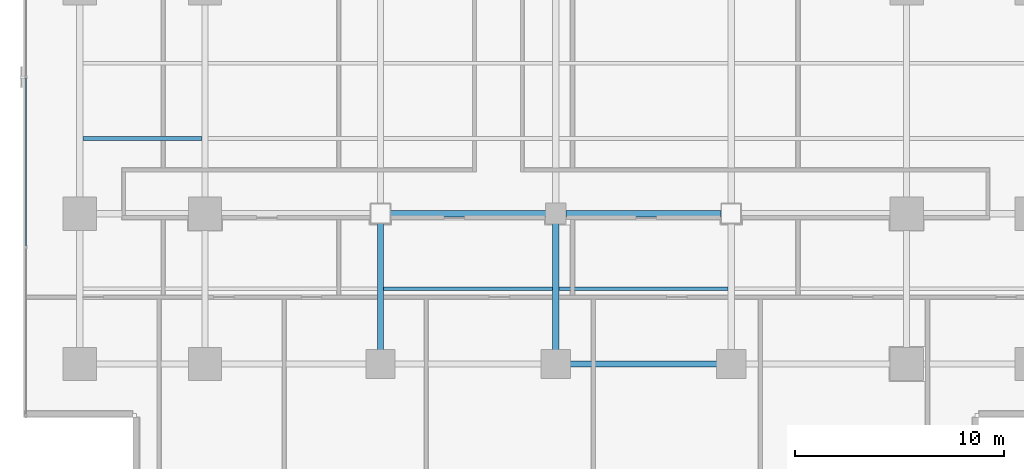
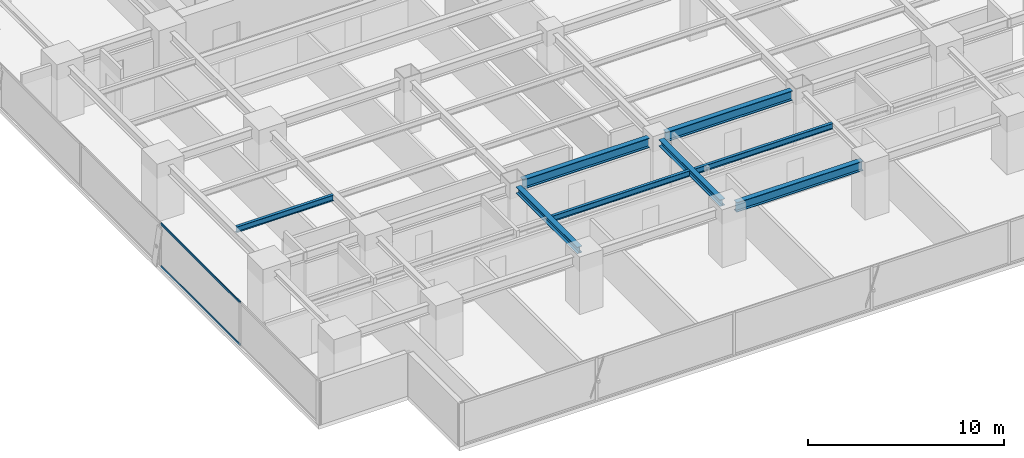
# One storey, part 7 of 36: 8 beams, 2 members, 1 element without a shape of its own.
"""IFC4 building model written with IfcOpenShell, lengths in metres."""

from ifc_helpers import new_model, si_unit, direction, frame, origin, origin_2d, place, context, subcontext, project, spatial, hollow_rectangle, i_section, extrude, source, transform, mapped, material, layer, layer_set, material_profile, profile_set, type_object, element, aggregate, save


model = new_model("IFC4")

# Units and contexts
model_context = context("Model", 3, precision=1e-05, world=origin(), true_north=direction((0.0, 1.0)))
body_context = subcontext(model_context, "Body", "Model", "MODEL_VIEW")
ifc_project = project(units=[si_unit("LENGTHUNIT", "METRE"), si_unit("AREAUNIT", "SQUARE_METRE"), si_unit("VOLUMEUNIT", "CUBIC_METRE"), si_unit("PLANEANGLEUNIT", "RADIAN"), si_unit("MASSUNIT", "GRAM", prefix="KILO")], contexts=[model_context])

# Site, building, storey
site_placement = place(None, origin())
site = spatial("IfcSite", under=ifc_project, at=site_placement, CompositionType="ELEMENT")
building_placement = place(site_placement, origin())
building = spatial("IfcBuilding", under=site, at=building_placement, Name="Sumidabori Civic Tower", CompositionType="ELEMENT")
storey_placement = place(building_placement, frame((0.0, 0.0, 120.800048828125)))
storey = spatial("IfcBuildingStorey", under=building, at=storey_placement, Name="L31", CompositionType="ELEMENT", Elevation=120.800048828125)

# Beams
ifc_material_1 = material(Name="Steel SN490", Category="steel")
ifc_material_profile_1 = material_profile(ifc_material_1, i_section(OverallWidth=0.300048828125, OverallDepth=0.60009765625, WebThickness=0.015380859375, FlangeThickness=0.030029296875, at=origin_2d()), Name="HE 600 B")
ifc_profile_set_1 = profile_set([ifc_material_profile_1], Name="Steel SN490")
beam_type_1 = type_object("IfcBeamType", Name="BM-GIRD-600", PredefinedType="BEAM", material=ifc_profile_set_1)
shared_shape_1 = source(origin(), body_context, "Body", "SweptSolid", [
    extrude(i_section(OverallWidth=0.300048828125, OverallDepth=0.60009765625, WebThickness=0.015380859375, FlangeThickness=0.030029296875, at=origin_2d()), origin(), (0.0, 0.0, 1.0), 7.43994140625),
])
for number, where, z_axis, x_axis, name in (
    (1, (0.47998046875, -18.0, 3.0), (1.0, 0.0, 0.0), (0.0, 1.0, 0.0), "Primary Girder L31 GX-04"),
    (2, (-7.919921875, -10.800048828125, 3.0), (1.0, 0.0, 0.0), (0.0, 1.0, 0.0), "Primary Girder L31 GX-09"),
    (3, (0.47998046875, -10.800048828125, 3.0), (1.0, 0.0, 0.0), (0.0, 1.0, 0.0), "Primary Girder L31 GX-10"),
):
    element("IfcBeam", number, at=place(storey_placement, frame(where, z_axis=z_axis, x_axis=x_axis)), inside=storey, type_object=beam_type_1, Name=name, PredefinedType="BEAM", context=body_context, shape_type="MappedRepresentation", body=[
        mapped(shared_shape_1, transform((0.0, 0.0, 0.0), x_axis=(1.0, 0.0, 0.0), y_axis=(0.0, 1.0, 0.0), z_axis=(0.0, 0.0, 1.0), scale=1.0)),
    ])
ifc_material_profile_2 = material_profile(ifc_material_1, i_section(OverallWidth=0.300048828125, OverallDepth=0.39990234375, WebThickness=0.013427734375, FlangeThickness=0.02392578125, at=origin_2d()), Name="HE 400 B")
ifc_profile_set_2 = profile_set([ifc_material_profile_2], Name="Steel SN490")
beam_type_2 = type_object("IfcBeamType", Name="BM-GIRD-400", PredefinedType="BEAM", material=ifc_profile_set_2)
shared_shape_2 = source(origin(), body_context, "Body", "SweptSolid", [
    extrude(i_section(OverallWidth=0.300048828125, OverallDepth=0.39990234375, WebThickness=0.013427734375, FlangeThickness=0.02392578125, at=origin_2d()), origin(), (0.0, 0.0, 1.0), 6.239990234375),
])
for number, where, z_axis, x_axis, name in (
    (4, (-8.39990234375, -17.52001953125, 3.099853515625), (0.0, 1.0, 0.0), (-1.0, 0.0, 0.0), "Primary Girder L31 GY-29"),
    (5, (0.0, -17.52001953125, 3.099853515625), (0.0, 1.0, 0.0), (-1.0, 0.0, 0.0), "Primary Girder L31 GY-31"),
):
    element("IfcBeam", number, at=place(storey_placement, frame(where, z_axis=z_axis, x_axis=x_axis)), inside=storey, type_object=beam_type_2, Name=name, PredefinedType="BEAM", context=body_context, shape_type="MappedRepresentation", body=[
        mapped(shared_shape_2, transform((0.0, 0.0, 0.0), x_axis=(1.0, 0.0, 0.0), y_axis=(0.0, 1.0, 0.0), z_axis=(0.0, 0.0, 1.0), scale=1.0)),
    ])
ifc_material_profile_3 = material_profile(ifc_material_1, i_section(OverallWidth=0.169921875, OverallDepth=0.360107421875, WebThickness=0.008056640625, FlangeThickness=0.0126953125, at=origin_2d()), Name="IPE 360")
ifc_profile_set_3 = profile_set([ifc_material_profile_3], Name="Steel SN490")
beam_type_3 = type_object("IfcBeamType", Name="BM-JST-360", PredefinedType="JOIST", material=ifc_profile_set_3)
shared_shape_3 = source(origin(), body_context, "Body", "SweptSolid", [
    extrude(i_section(OverallWidth=0.169921875, OverallDepth=0.360107421875, WebThickness=0.008056640625, FlangeThickness=0.0126953125, at=origin_2d()), origin(), (0.0, 0.0, 1.0), 5.699951171875),
])
beam_placement = place(storey_placement, frame((-22.64990234375, -7.199951171875, 3.119873046875), z_axis=(1.0, 0.0, 0.0), x_axis=(0.0, 1.0, 0.0)))
element("IfcBeam", 6, at=beam_placement, inside=storey, type_object=beam_type_3, Name="Outer Bay Floor Joist L31 JSTO-43", PredefinedType="JOIST", context=body_context, shape_type="MappedRepresentation", body=[
    mapped(shared_shape_3, transform((0.0, 0.0, 0.0), x_axis=(1.0, 0.0, 0.0), y_axis=(0.0, 1.0, 0.0), z_axis=(0.0, 0.0, 1.0), scale=1.0)),
])
shared_shape_4 = source(origin(), body_context, "Body", "SweptSolid", [
    extrude(i_section(OverallWidth=0.169921875, OverallDepth=0.360107421875, WebThickness=0.008056640625, FlangeThickness=0.0126953125, at=origin_2d()), origin(), (0.0, 0.0, 1.0), 8.10009765625),
])
for number, where, z_axis, x_axis, name in (
    (7, (-8.25, -14.39990234375, 3.119873046875), (1.0, 0.0, 0.0), (0.0, 1.0, 0.0), "South Bay Floor Joist L31 JSTS-56"),
    (8, (0.14990234375, -14.39990234375, 3.119873046875), (1.0, 0.0, 0.0), (0.0, 1.0, 0.0), "South Bay Floor Joist L31 JSTS-57"),
):
    element("IfcBeam", number, at=place(storey_placement, frame(where, z_axis=z_axis, x_axis=x_axis)), inside=storey, type_object=beam_type_3, Name=name, PredefinedType="JOIST", context=body_context, shape_type="MappedRepresentation", body=[
        mapped(shared_shape_4, transform((0.0, 0.0, 0.0), x_axis=(1.0, 0.0, 0.0), y_axis=(0.0, 1.0, 0.0), z_axis=(0.0, 0.0, 1.0), scale=1.0)),
    ])

# Curtain wall, members
ifc_material_2 = material(Name="Anodised Bronze Aluminium AW-6063-T6", Category="aluminium")
ifc_layer = layer(ifc_material_2, 0.179931640625, Name="Anodised Bronze Aluminium AW-6063-T6")
ifc_layer_set = layer_set([ifc_layer], Name="Anodised Bronze Aluminium AW-6063-T6")
curtain_wall_type = type_object("IfcCurtainWallType", Name="CW-SYS-3", PredefinedType="NOTDEFINED", material=ifc_layer_set)
curtain_wall_placement = place(storey_placement, origin())
curtain_wall = element("IfcCurtainWall", 9, at=curtain_wall_placement, inside=storey, type_object=curtain_wall_type, Name="Curtain Wall CW:L31:R10", PredefinedType="NOTDEFINED")
ifc_material_profile_4 = material_profile(ifc_material_2, hollow_rectangle(XDim=0.06005859375, YDim=0.1298828125, WallThickness=0.0048828125, at=origin_2d()), Name="ALU TRANSOM 130x60")
ifc_profile_set_4 = profile_set([ifc_material_profile_4], Name="Anodised Bronze Aluminium AW-6063-T6")
member_type = type_object("IfcMemberType", Name="CW-TRN-130", PredefinedType="USERDEFINED", material=ifc_profile_set_4)
shared_shape_5 = source(origin(), body_context, "Body", "SweptSolid", [
    extrude(hollow_rectangle(XDim=0.06005859375, YDim=0.1298828125, WallThickness=0.0048828125, at=origin_2d()), origin(), (0.0, 0.0, 1.0), 8.063232421875),
])
member_1_placement = place(storey_placement, frame((-25.3798828125, -4.29638671875, 0.030029296875), z_axis=(0.0, -1.0, 0.0), x_axis=(1.0, 0.0, 0.0)))
member_1 = element("IfcMember", 10, at=member_1_placement, type_object=member_type, Name="CW-3 transom 4.1", ObjectType="TRANSOM", PredefinedType="USERDEFINED", context=body_context, shape_type="MappedRepresentation", body=[
    mapped(shared_shape_5, transform((0.0, 0.0, 0.0), x_axis=(1.0, 0.0, 0.0), y_axis=(0.0, 1.0, 0.0), z_axis=(0.0, 0.0, 1.0), scale=1.0)),
])
member_2_placement = place(storey_placement, frame((-25.3798828125, -4.29638671875, 2.64990234375), z_axis=(0.0, -1.0, 0.0), x_axis=(1.0, 0.0, 0.0)))
member_2 = element("IfcMember", 11, at=member_2_placement, type_object=member_type, Name="CW-3 transom 4.2", ObjectType="TRANSOM", PredefinedType="USERDEFINED", context=body_context, shape_type="MappedRepresentation", body=[
    mapped(shared_shape_5, transform((0.0, 0.0, 0.0), x_axis=(1.0, 0.0, 0.0), y_axis=(0.0, 1.0, 0.0), z_axis=(0.0, 0.0, 1.0), scale=1.0)),
])
aggregate(curtain_wall, [member_1, member_2])

save(model, "model.ifc")
